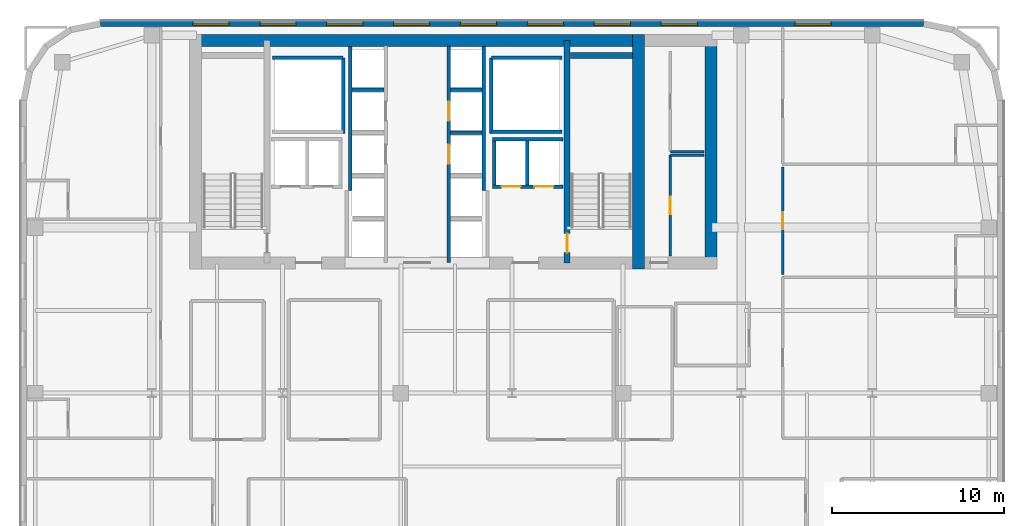
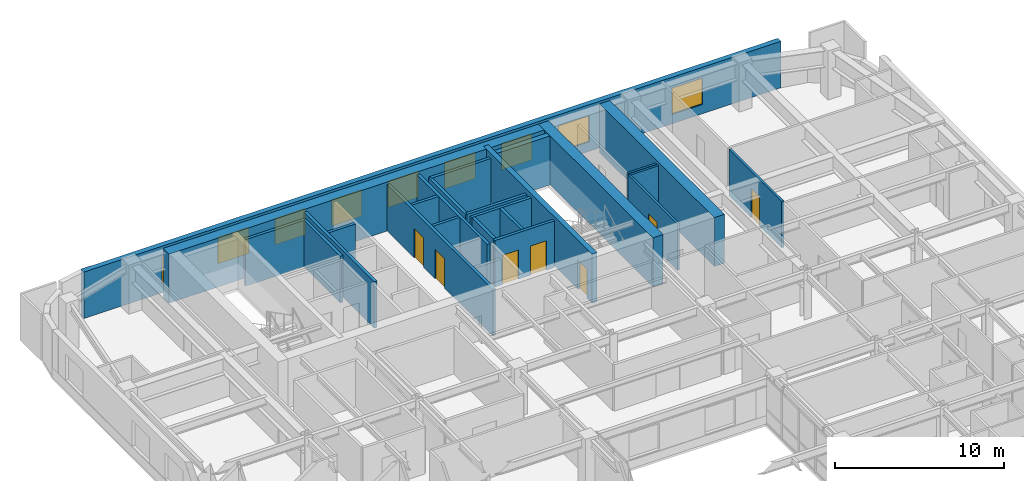
# One storey, part 18 of 24: 25 walls, 9 windows, 7 doors, 16 openings.
"""IFC4 building model written with IfcOpenShell, lengths in metres."""

from ifc_helpers import new_model, si_unit, direction, frame, frame_2d, origin, place, context, subcontext, project, spatial, rectangle, extrude, source, transform, mapped, material, layer, layer_set, type_object, type_shapes, element, fill, save


model = new_model("IFC4")

# Units and contexts
model_context = context("Model", 3, precision=1e-05, world=origin(), true_north=direction((0.0, 1.0)))
body_context = subcontext(model_context, "Body", "Model", "MODEL_VIEW")
ifc_project = project(units=[si_unit("LENGTHUNIT", "METRE"), si_unit("AREAUNIT", "SQUARE_METRE"), si_unit("VOLUMEUNIT", "CUBIC_METRE"), si_unit("PLANEANGLEUNIT", "RADIAN"), si_unit("MASSUNIT", "GRAM", prefix="KILO")], contexts=[model_context])

# Site, building, storey
site_placement = place(None, origin())
site = spatial("IfcSite", under=ifc_project, at=site_placement, CompositionType="ELEMENT")
building_placement = place(site_placement, origin())
building = spatial("IfcBuilding", under=site, at=building_placement, Name="Tolvann Quenvar Hotel", CompositionType="ELEMENT")
storey_placement = place(building_placement, frame((0.0, 0.0, 118.64990234375)))
storey = spatial("IfcBuildingStorey", under=building, at=storey_placement, Name="L30", CompositionType="ELEMENT", Elevation=118.64990234375)

# Walls
ifc_material_1 = material(Name="Concrete S65 (65 MPa)", Category="concrete")
ifc_layer_1 = layer(ifc_material_1, 0.699951171875)
ifc_layer_set_1 = layer_set([ifc_layer_1], Name="Concrete S65 (65 MPa)")
wall_type_1 = type_object("IfcWallType", Name="WALL_CORE_700", PredefinedType="SHEAR", material=ifc_layer_set_1)
wall_1_placement = place(storey_placement, frame((9.800048828125, 44.85009765625, 0.0), z_axis=(0.0, 0.0, 1.0), x_axis=(1.0, 0.0, 0.0)))
element("IfcWall", 1, at=wall_1_placement, inside=storey, type_object=wall_type_1, Name="Rear Core N Shear Wall (L30)", PredefinedType="SHEAR", context=body_context, shape_type="SweptSolid", body=[
    extrude(rectangle(XDim=26.39990234375, YDim=0.699951171875, at=frame_2d((13.199951171875, 0.0))), origin(), (0.0, 0.0, 1.0), 3.550048828125),
])
for number, where, z_axis, x_axis, name in (
    (2, (35.85009765625, 31.60009765625, 0.0), (0.0, 0.0, 1.0), (0.0, 1.0, 0.0), "Rear Core E Shear Wall (L30)"),
    (3, (40.050048828125, 31.60009765625, 0.0), (0.0, 0.0, 1.0), (0.0, 1.0, 0.0), "Core East Annex Shear Wall ANN-E (L30)"),
):
    element("IfcWall", number, at=place(storey_placement, frame(where, z_axis=z_axis, x_axis=x_axis)), inside=storey, type_object=wall_type_1, Name=name, PredefinedType="SHEAR", context=body_context, shape_type="SweptSolid", body=[
        extrude(rectangle(XDim=13.599853515625, YDim=0.699951171875, at=frame_2d((6.7998046875, 0.0))), origin(), (0.0, 0.0, 1.0), 3.550048828125),
    ])

# Wall, opening, door
ifc_layer_2 = layer(ifc_material_1, 0.35009765625)
ifc_layer_set_2 = layer_set([ifc_layer_2], Name="Concrete S65 (65 MPa)")
wall_type_2 = type_object("IfcWallType", Name="WALL_CORE_INT_350", PredefinedType="SHEAR", material=ifc_layer_set_2)
wall_2_placement = place(storey_placement, frame((31.699951171875, 31.949951171875, 0.0), z_axis=(0.0, 0.0, 1.0), x_axis=(0.0, 1.0, 0.0)))
wall_2 = element("IfcWall", 4, at=wall_2_placement, inside=storey, type_object=wall_type_2, Name="Core Internal Web Shear Wall WEB-E (L30)", PredefinedType="SHEAR", context=body_context, shape_type="SweptSolid", body=[
    extrude(rectangle(XDim=12.900146484375, YDim=0.35009765625, at=frame_2d((6.4501953125, 0.0))), origin(), (0.0, 0.0, 1.0), 3.550048828125),
])
opening_1_placement = place(wall_2_placement, frame((1.7001953125, 0.0, 0.0), z_axis=(0.0, 0.0, 1.0), x_axis=(-1.0, 0.0, 0.0)))
opening_1 = element("IfcOpeningElement", 5, at=opening_1_placement, cuts=wall_2, Name="Opening FD-120", PredefinedType="OPENING", context=body_context, shape_type="SweptSolid", body=[
    extrude(rectangle(XDim=1.10009765625, YDim=2.1201171875, at=frame_2d((0.550048828125, 1.06005859375))), frame((0.0, 0.18505859375, 0.0), z_axis=(0.0, -1.0, 0.0), x_axis=(1.0, 0.0, 0.0)), (0.0, 0.0, 1.0), 0.3701171875),
])
ifc_material_2 = material(Name="Pressed galvanised steel fire-rated door set", Category="steel")
door_type_1 = type_object("IfcDoorType", Name="DOOR_FIRE_STAIR_1100", OperationType="NOTDEFINED", PredefinedType="DOOR", material=ifc_material_2)
shared_shape_1 = source(origin(), body_context, "Body", "SweptSolid", [
    extrude(rectangle(XDim=1.10009765625, YDim=2.1201171875, at=frame_2d((0.550048828125, 1.06005859375))), frame((0.0, 0.02490234375, 0.0), z_axis=(0.0, -1.0, 0.0), x_axis=(1.0, 0.0, 0.0)), (0.0, 0.0, 1.0), 0.050048828125),
])
type_shapes(door_type_1, [shared_shape_1])
door_1_placement = place(opening_1_placement, origin())
door_1 = element("IfcDoor", 6, at=door_1_placement, inside=storey, type_object=door_type_1, Name="Exit Stair ST-C2 Fire Door (L30)", OperationType="SINGLE_SWING_LEFT", OverallHeight=2.1201171875, OverallWidth=1.10009765625, PredefinedType="DOOR", context=body_context, shape_type="MappedRepresentation", body=[
    mapped(shared_shape_1, transform((0.0, 0.0, 0.0), x_axis=(1.0, 0.0, 0.0), y_axis=(0.0, 1.0, 0.0), z_axis=(0.0, 0.0, 1.0), scale=1.0)),
])
fill(opening_1, door_1)

# Wall
wall_3_placement = place(storey_placement, frame((31.8798828125, 43.97509765625, 0.0), z_axis=(0.0, 0.0, 1.0), x_axis=(1.0, 0.0, 0.0)))
element("IfcWall", 7, at=wall_3_placement, inside=storey, type_object=wall_type_2, Name="Core Stair North Closing Shear Wall STC2-N (L30)", PredefinedType="SHEAR", context=body_context, shape_type="SweptSolid", body=[
    extrude(rectangle(XDim=3.60009765625, YDim=0.35009765625, at=frame_2d((1.800048828125, 0.0))), origin(), (0.0, 0.0, 1.0), 3.550048828125),
])

# Wall, openings, windows
ifc_material_3 = material(Name="Kiln-fired red and buff architectural clay brickwork and terracotta masonry", Category="masonry")
ifc_layer_3 = layer(ifc_material_3, 0.35009765625)
ifc_layer_set_3 = layer_set([ifc_layer_3], Name="Kiln-fired red and buff architectural clay brickwork and terracotta masonry")
wall_type_3 = type_object("IfcWallType", Name="WALL_EXT_BRICK_350", PredefinedType="SOLIDWALL", material=ifc_layer_set_3)
wall_4_placement = place(storey_placement, frame((52.3828125, 45.824951171875, 0.0), z_axis=(0.0, 0.0, 1.0), x_axis=(-1.0, 0.0, 0.0)))
wall_4 = element("IfcWall", 8, at=wall_4_placement, inside=storey, type_object=wall_type_3, Name="Exterior Chicago Brick Wall L30-E18", PredefinedType="SOLIDWALL", context=body_context, shape_type="SweptSolid", body=[
    extrude(rectangle(XDim=47.765625, YDim=0.35009765625, at=frame_2d((23.8828125, 0.0))), origin(), (0.0, 0.0, 1.0), 3.3701171875),
])
opening_2_placement = place(wall_4_placement, frame((5.37109375, 0.0, 0.679931640625)))
opening_2 = element("IfcOpeningElement", 9, at=opening_2_placement, cuts=wall_4, Name="Opening W-02", PredefinedType="OPENING", context=body_context, shape_type="SweptSolid", body=[
    extrude(rectangle(XDim=2.10009765625, YDim=1.89990234375, at=frame_2d((1.050048828125, 0.949951171875))), frame((0.0, 0.18505859375, 0.0), z_axis=(0.0, -1.0, 0.0), x_axis=(1.0, 0.0, 0.0)), (0.0, 0.0, 1.0), 0.3701171875),
])
opening_3_placement = place(wall_4_placement, frame((13.132080078125, 0.0, 0.679931640625)))
opening_3 = element("IfcOpeningElement", 10, at=opening_3_placement, cuts=wall_4, Name="Opening W-02", PredefinedType="OPENING", context=body_context, shape_type="SweptSolid", body=[
    extrude(rectangle(XDim=2.10009765625, YDim=1.89990234375, at=frame_2d((1.050048828125, 0.949951171875))), frame((0.0, 0.18505859375, 0.0), z_axis=(0.0, -1.0, 0.0), x_axis=(1.0, 0.0, 0.0)), (0.0, 0.0, 1.0), 0.3701171875),
])
opening_4_placement = place(wall_4_placement, frame((17.011962890625, 0.0, 0.679931640625)))
opening_4 = element("IfcOpeningElement", 11, at=opening_4_placement, cuts=wall_4, Name="Opening W-02", PredefinedType="OPENING", context=body_context, shape_type="SweptSolid", body=[
    extrude(rectangle(XDim=2.10009765625, YDim=1.89990234375, at=frame_2d((1.050048828125, 0.949951171875))), frame((0.0, 0.18505859375, 0.0), z_axis=(0.0, -1.0, 0.0), x_axis=(1.0, 0.0, 0.0)), (0.0, 0.0, 1.0), 0.3701171875),
])
opening_5_placement = place(wall_4_placement, frame((20.89306640625, 0.0, 0.679931640625)))
opening_5 = element("IfcOpeningElement", 12, at=opening_5_placement, cuts=wall_4, Name="Opening W-02", PredefinedType="OPENING", context=body_context, shape_type="SweptSolid", body=[
    extrude(rectangle(XDim=2.10009765625, YDim=1.89990234375, at=frame_2d((1.050048828125, 0.949951171875))), frame((0.0, 0.18505859375, 0.0), z_axis=(0.0, -1.0, 0.0), x_axis=(1.0, 0.0, 0.0)), (0.0, 0.0, 1.0), 0.3701171875),
])
opening_6_placement = place(wall_4_placement, frame((24.77294921875, 0.0, 0.679931640625)))
opening_6 = element("IfcOpeningElement", 13, at=opening_6_placement, cuts=wall_4, Name="Opening W-02", PredefinedType="OPENING", context=body_context, shape_type="SweptSolid", body=[
    extrude(rectangle(XDim=2.10009765625, YDim=1.89990234375, at=frame_2d((1.050048828125, 0.949951171875))), frame((0.0, 0.18505859375, 0.0), z_axis=(0.0, -1.0, 0.0), x_axis=(1.0, 0.0, 0.0)), (0.0, 0.0, 1.0), 0.3701171875),
])
opening_7_placement = place(wall_4_placement, frame((28.654052734375, 0.0, 0.679931640625)))
opening_7 = element("IfcOpeningElement", 14, at=opening_7_placement, cuts=wall_4, Name="Opening W-02", PredefinedType="OPENING", context=body_context, shape_type="SweptSolid", body=[
    extrude(rectangle(XDim=2.10009765625, YDim=1.89990234375, at=frame_2d((1.050048828125, 0.949951171875))), frame((0.0, 0.18505859375, 0.0), z_axis=(0.0, -1.0, 0.0), x_axis=(1.0, 0.0, 0.0)), (0.0, 0.0, 1.0), 0.3701171875),
])
opening_8_placement = place(wall_4_placement, frame((32.533935546875, 0.0, 0.679931640625)))
opening_8 = element("IfcOpeningElement", 15, at=opening_8_placement, cuts=wall_4, Name="Opening W-02", PredefinedType="OPENING", context=body_context, shape_type="SweptSolid", body=[
    extrude(rectangle(XDim=2.10009765625, YDim=1.89990234375, at=frame_2d((1.050048828125, 0.949951171875))), frame((0.0, 0.18505859375, 0.0), z_axis=(0.0, -1.0, 0.0), x_axis=(1.0, 0.0, 0.0)), (0.0, 0.0, 1.0), 0.3701171875),
])
opening_9_placement = place(wall_4_placement, frame((36.4140625, 0.0, 0.679931640625)))
opening_9 = element("IfcOpeningElement", 16, at=opening_9_placement, cuts=wall_4, Name="Opening W-02", PredefinedType="OPENING", context=body_context, shape_type="SweptSolid", body=[
    extrude(rectangle(XDim=2.10009765625, YDim=1.89990234375, at=frame_2d((1.050048828125, 0.949951171875))), frame((0.0, 0.18505859375, 0.0), z_axis=(0.0, -1.0, 0.0), x_axis=(1.0, 0.0, 0.0)), (0.0, 0.0, 1.0), 0.3701171875),
])
opening_10_placement = place(wall_4_placement, frame((40.294921875, 0.0, 0.679931640625)))
opening_10 = element("IfcOpeningElement", 17, at=opening_10_placement, cuts=wall_4, Name="Opening W-02", PredefinedType="OPENING", context=body_context, shape_type="SweptSolid", body=[
    extrude(rectangle(XDim=2.10009765625, YDim=1.89990234375, at=frame_2d((1.050048828125, 0.949951171875))), frame((0.0, 0.18505859375, 0.0), z_axis=(0.0, -1.0, 0.0), x_axis=(1.0, 0.0, 0.0)), (0.0, 0.0, 1.0), 0.3701171875),
])
ifc_material_4 = material(Name="Thermally broken bronze-anodised aluminium frame with double low-E glazing", Category="aluminium")
window_type = type_object("IfcWindowType", Name="WIN_CHI_2100x2050", PartitioningType="TRIPLE_PANEL_HORIZONTAL", PredefinedType="WINDOW", material=ifc_material_4)
shared_shape_2 = source(origin(), body_context, "Body", "SweptSolid", [
    extrude(rectangle(XDim=2.10009765625, YDim=1.89990234375, at=frame_2d((1.050048828125, 0.949951171875))), frame((0.0, 0.090087890625, 0.0), z_axis=(0.0, -1.0, 0.0), x_axis=(1.0, 0.0, 0.0)), (0.0, 0.0, 1.0), 0.06005859375),
])
type_shapes(window_type, [shared_shape_2])
window_1_placement = place(opening_2_placement, origin())
window_1 = element("IfcWindow", 18, at=window_1_placement, inside=storey, type_object=window_type, Name="Chicago Window W-02 (EW-L30-E18-W01)", OverallHeight=1.89990234375, OverallWidth=2.10009765625, PartitioningType="TRIPLE_PANEL_HORIZONTAL", PredefinedType="WINDOW", context=body_context, shape_type="MappedRepresentation", body=[
    mapped(shared_shape_2, transform((0.0, 0.0, 0.0), x_axis=(1.0, 0.0, 0.0), y_axis=(0.0, 1.0, 0.0), z_axis=(0.0, 0.0, 1.0), scale=1.0)),
])
fill(opening_2, window_1)
window_2_placement = place(opening_3_placement, origin())
window_2 = element("IfcWindow", 19, at=window_2_placement, inside=storey, type_object=window_type, Name="Chicago Window W-02 (EW-L30-E18-W02)", OverallHeight=1.89990234375, OverallWidth=2.10009765625, PartitioningType="TRIPLE_PANEL_HORIZONTAL", PredefinedType="WINDOW", context=body_context, shape_type="MappedRepresentation", body=[
    mapped(shared_shape_2, transform((0.0, 0.0, 0.0), x_axis=(1.0, 0.0, 0.0), y_axis=(0.0, 1.0, 0.0), z_axis=(0.0, 0.0, 1.0), scale=1.0)),
])
fill(opening_3, window_2)
window_3_placement = place(opening_4_placement, origin())
window_3 = element("IfcWindow", 20, at=window_3_placement, inside=storey, type_object=window_type, Name="Chicago Window W-02 (EW-L30-E18-W03)", OverallHeight=1.89990234375, OverallWidth=2.10009765625, PartitioningType="TRIPLE_PANEL_HORIZONTAL", PredefinedType="WINDOW", context=body_context, shape_type="MappedRepresentation", body=[
    mapped(shared_shape_2, transform((0.0, 0.0, 0.0), x_axis=(1.0, 0.0, 0.0), y_axis=(0.0, 1.0, 0.0), z_axis=(0.0, 0.0, 1.0), scale=1.0)),
])
fill(opening_4, window_3)
window_4_placement = place(opening_5_placement, origin())
window_4 = element("IfcWindow", 21, at=window_4_placement, inside=storey, type_object=window_type, Name="Chicago Window W-02 (EW-L30-E18-W04)", OverallHeight=1.89990234375, OverallWidth=2.10009765625, PartitioningType="TRIPLE_PANEL_HORIZONTAL", PredefinedType="WINDOW", context=body_context, shape_type="MappedRepresentation", body=[
    mapped(shared_shape_2, transform((0.0, 0.0, 0.0), x_axis=(1.0, 0.0, 0.0), y_axis=(0.0, 1.0, 0.0), z_axis=(0.0, 0.0, 1.0), scale=1.0)),
])
fill(opening_5, window_4)
window_5_placement = place(opening_6_placement, origin())
window_5 = element("IfcWindow", 22, at=window_5_placement, inside=storey, type_object=window_type, Name="Chicago Window W-02 (EW-L30-E18-W05)", OverallHeight=1.89990234375, OverallWidth=2.10009765625, PartitioningType="TRIPLE_PANEL_HORIZONTAL", PredefinedType="WINDOW", context=body_context, shape_type="MappedRepresentation", body=[
    mapped(shared_shape_2, transform((0.0, 0.0, 0.0), x_axis=(1.0, 0.0, 0.0), y_axis=(0.0, 1.0, 0.0), z_axis=(0.0, 0.0, 1.0), scale=1.0)),
])
fill(opening_6, window_5)
window_6_placement = place(opening_7_placement, origin())
window_6 = element("IfcWindow", 23, at=window_6_placement, inside=storey, type_object=window_type, Name="Chicago Window W-02 (EW-L30-E18-W06)", OverallHeight=1.89990234375, OverallWidth=2.10009765625, PartitioningType="TRIPLE_PANEL_HORIZONTAL", PredefinedType="WINDOW", context=body_context, shape_type="MappedRepresentation", body=[
    mapped(shared_shape_2, transform((0.0, 0.0, 0.0), x_axis=(1.0, 0.0, 0.0), y_axis=(0.0, 1.0, 0.0), z_axis=(0.0, 0.0, 1.0), scale=1.0)),
])
fill(opening_7, window_6)
window_7_placement = place(opening_8_placement, origin())
window_7 = element("IfcWindow", 24, at=window_7_placement, inside=storey, type_object=window_type, Name="Chicago Window W-02 (EW-L30-E18-W07)", OverallHeight=1.89990234375, OverallWidth=2.10009765625, PartitioningType="TRIPLE_PANEL_HORIZONTAL", PredefinedType="WINDOW", context=body_context, shape_type="MappedRepresentation", body=[
    mapped(shared_shape_2, transform((0.0, 0.0, 0.0), x_axis=(1.0, 0.0, 0.0), y_axis=(0.0, 1.0, 0.0), z_axis=(0.0, 0.0, 1.0), scale=1.0)),
])
fill(opening_8, window_7)
window_8_placement = place(opening_9_placement, origin())
window_8 = element("IfcWindow", 25, at=window_8_placement, inside=storey, type_object=window_type, Name="Chicago Window W-02 (EW-L30-E18-W08)", OverallHeight=1.89990234375, OverallWidth=2.10009765625, PartitioningType="TRIPLE_PANEL_HORIZONTAL", PredefinedType="WINDOW", context=body_context, shape_type="MappedRepresentation", body=[
    mapped(shared_shape_2, transform((0.0, 0.0, 0.0), x_axis=(1.0, 0.0, 0.0), y_axis=(0.0, 1.0, 0.0), z_axis=(0.0, 0.0, 1.0), scale=1.0)),
])
fill(opening_9, window_8)
window_9_placement = place(opening_10_placement, origin())
window_9 = element("IfcWindow", 26, at=window_9_placement, inside=storey, type_object=window_type, Name="Chicago Window W-02 (EW-L30-E18-W09)", OverallHeight=1.89990234375, OverallWidth=2.10009765625, PartitioningType="TRIPLE_PANEL_HORIZONTAL", PredefinedType="WINDOW", context=body_context, shape_type="MappedRepresentation", body=[
    mapped(shared_shape_2, transform((0.0, 0.0, 0.0), x_axis=(1.0, 0.0, 0.0), y_axis=(0.0, 1.0, 0.0), z_axis=(0.0, 0.0, 1.0), scale=1.0)),
])
fill(opening_10, window_9)

# Wall
ifc_material_5 = material(Name="Acoustic twin-stud fire-rated gypsum plasterboard partition")
ifc_layer_4 = layer(ifc_material_5, 0.14990234375)
ifc_layer_set_4 = layer_set([ifc_layer_4], Name="Acoustic twin-stud fire-rated gypsum plasterboard partition")
wall_type_4 = type_object("IfcWallType", Name="WALL_PART_SUITE_150", PredefinedType="PARTITIONING", material=ifc_layer_set_4)
wall_5_placement = place(storey_placement, frame((37.679931640625, 38.199951171875, 0.0), z_axis=(0.0, 0.0, 1.0), x_axis=(1.0, 0.0, 0.0)))
element("IfcWall", 27, at=wall_5_placement, inside=storey, type_object=wall_type_4, Name="Interior Partition PT-SPC-L30-RECPL-1-N", PredefinedType="PARTITIONING", context=body_context, shape_type="SweptSolid", body=[
    extrude(rectangle(XDim=1.965087890625, YDim=0.14990234375, at=frame_2d((0.982421875, 0.0))), origin(), (0.0, 0.0, 1.0), 3.3701171875),
])

# Wall, opening, door
wall_6_placement = place(storey_placement, frame((37.679931640625, 32.35498046875, 0.0), z_axis=(0.0, 0.0, 1.0), x_axis=(0.0, 1.0, 0.0)))
wall_6 = element("IfcWall", 28, at=wall_6_placement, inside=storey, type_object=wall_type_4, Name="Interior Partition PT-SPC-L30-RECPL-1-W", PredefinedType="PARTITIONING", context=body_context, shape_type="SweptSolid", body=[
    extrude(rectangle(XDim=5.844970703125, YDim=0.14990234375, at=frame_2d((2.92236328125, 0.0))), origin(), (0.0, 0.0, 1.0), 3.3701171875),
])
opening_11_placement = place(wall_6_placement, frame((2.41259765625, 0.0, 0.0)))
opening_11 = element("IfcOpeningElement", 29, at=opening_11_placement, cuts=wall_6, Name="Opening HD-01", PredefinedType="OPENING", context=body_context, shape_type="SweptSolid", body=[
    extrude(rectangle(XDim=1.02001953125, YDim=2.030029296875, at=frame_2d((0.510009765625, 1.01513671875))), frame((0.0, 0.0849609375, 0.0), z_axis=(0.0, -1.0, 0.0), x_axis=(1.0, 0.0, 0.0)), (0.0, 0.0, 1.0), 0.169921875),
])
door_type_2 = type_object("IfcDoorType", Name="DOOR_BOH_1020", OperationType="NOTDEFINED", PredefinedType="DOOR", material=ifc_material_2)
shared_shape_3 = source(origin(), body_context, "Body", "SweptSolid", [
    extrude(rectangle(XDim=1.02001953125, YDim=2.030029296875, at=frame_2d((0.510009765625, 1.01513671875))), frame((0.0, 0.02490234375, 0.0), z_axis=(0.0, -1.0, 0.0), x_axis=(1.0, 0.0, 0.0)), (0.0, 0.0, 1.0), 0.050048828125),
])
type_shapes(door_type_2, [shared_shape_3])
door_2_placement = place(opening_11_placement, origin())
door_2 = element("IfcDoor", 30, at=door_2_placement, inside=storey, type_object=door_type_2, Name="Interior Door DOOR-SPC-L30-RECPL-1", OperationType="SINGLE_SWING_RIGHT", OverallHeight=2.030029296875, OverallWidth=1.02001953125, PredefinedType="DOOR", context=body_context, shape_type="MappedRepresentation", body=[
    mapped(shared_shape_3, transform((0.0, 0.0, 0.0), x_axis=(1.0, 0.0, 0.0), y_axis=(0.0, 1.0, 0.0), z_axis=(0.0, 0.0, 1.0), scale=1.0)),
])
fill(opening_11, door_2)

# Wall
wall_7_placement = place(storey_placement, frame((37.679931640625, 38.39990234375, 0.0), z_axis=(0.0, 0.0, 1.0), x_axis=(1.0, 0.0, 0.0)))
element("IfcWall", 31, at=wall_7_placement, inside=storey, type_object=wall_type_4, Name="Interior Partition PT-SPC-L30-CSE-1-S", PredefinedType="PARTITIONING", context=body_context, shape_type="SweptSolid", body=[
    extrude(rectangle(XDim=1.965087890625, YDim=0.14990234375, at=frame_2d((0.982421875, 0.0))), origin(), (0.0, 0.0, 1.0), 3.3701171875),
])

# Wall, opening, door
wall_8_placement = place(storey_placement, frame((44.199951171875, 31.280029296875, 0.0), z_axis=(0.0, 0.0, 1.0), x_axis=(0.0, 1.0, 0.0)))
wall_8 = element("IfcWall", 32, at=wall_8_placement, inside=storey, type_object=wall_type_4, Name="Interior Partition PT-SPC-L30-RM-NE02-ENT", PredefinedType="PARTITIONING", context=body_context, shape_type="SweptSolid", body=[
    extrude(rectangle(XDim=6.239990234375, YDim=0.14990234375, at=frame_2d((3.1201171875, 0.0))), origin(), (0.0, 0.0, 1.0), 3.3701171875),
])
opening_12_placement = place(wall_8_placement, frame((2.6298828125, 0.0, 0.0)))
opening_12 = element("IfcOpeningElement", 33, at=opening_12_placement, cuts=wall_8, Name="Opening SD-01", PredefinedType="OPENING", context=body_context, shape_type="SweptSolid", body=[
    extrude(rectangle(XDim=0.97998046875, YDim=2.1201171875, at=frame_2d((0.489990234375, 1.06005859375))), frame((0.0, 0.0849609375, 0.0), z_axis=(0.0, -1.0, 0.0), x_axis=(1.0, 0.0, 0.0)), (0.0, 0.0, 1.0), 0.169921875),
])
ifc_material_6 = material(Name="Solid-core American oak acoustic fire door leaf in steel frame", Category="steel")
door_type_3 = type_object("IfcDoorType", Name="DOOR_SUITE_980", OperationType="NOTDEFINED", PredefinedType="DOOR", material=ifc_material_6)
shared_shape_4 = source(origin(), body_context, "Body", "SweptSolid", [
    extrude(rectangle(XDim=0.97998046875, YDim=2.1201171875, at=frame_2d((0.489990234375, 1.06005859375))), frame((0.0, 0.02490234375, 0.0), z_axis=(0.0, -1.0, 0.0), x_axis=(1.0, 0.0, 0.0)), (0.0, 0.0, 1.0), 0.050048828125),
])
type_shapes(door_type_3, [shared_shape_4])
door_3_placement = place(opening_12_placement, origin())
door_3 = element("IfcDoor", 34, at=door_3_placement, inside=storey, type_object=door_type_3, Name="Interior Door DOOR-SPC-L30-RM-NE02", OperationType="SINGLE_SWING_RIGHT", OverallHeight=2.1201171875, OverallWidth=0.97998046875, PredefinedType="DOOR", context=body_context, shape_type="MappedRepresentation", body=[
    mapped(shared_shape_4, transform((0.0, 0.0, 0.0), x_axis=(1.0, 0.0, 0.0), y_axis=(0.0, 1.0, 0.0), z_axis=(0.0, 0.0, 1.0), scale=1.0)),
])
fill(opening_12, door_3)

# Walls
ifc_material_7 = material(Name="Concrete N40 (40 MPa)", Category="concrete")
ifc_layer_5 = layer(ifc_material_7, 0.199951171875)
ifc_layer_set_5 = layer_set([ifc_layer_5], Name="Concrete N40 (40 MPa)")
wall_type_5 = type_object("IfcWallType", Name="WALL_SHAFT_200", PredefinedType="SOLIDWALL", material=ifc_layer_set_5)
wall_9_placement = place(storey_placement, frame((18.699951171875, 39.449951171875, 0.0), z_axis=(0.0, 0.0, 1.0), x_axis=(0.0, 1.0, 0.0)))
element("IfcWall", 35, at=wall_9_placement, inside=storey, type_object=wall_type_5, Name="Service Riser W Shaft Wall IN (L30)", PredefinedType="SOLIDWALL", context=body_context, shape_type="SweptSolid", body=[
    extrude(rectangle(XDim=4.400146484375, YDim=0.199951171875, at=frame_2d((2.2001953125, 0.0))), origin(), (0.0, 0.0, 1.0), 3.3701171875),
])
wall_10_placement = place(storey_placement, frame((14.60009765625, 43.85009765625, 0.0), z_axis=(0.0, 0.0, 1.0), x_axis=(1.0, 0.0, 0.0)))
element("IfcWall", 36, at=wall_10_placement, inside=storey, type_object=wall_type_5, Name="Service Riser W Shaft Wall N (L30)", PredefinedType="SOLIDWALL", context=body_context, shape_type="SweptSolid", body=[
    extrude(rectangle(XDim=4.099853515625, YDim=0.199951171875, at=frame_2d((2.0498046875, 0.0))), origin(), (0.0, 0.0, 1.0), 3.3701171875),
])
wall_11_placement = place(storey_placement, frame((27.300048828125, 39.449951171875, 0.0), z_axis=(0.0, 0.0, 1.0), x_axis=(0.0, 1.0, 0.0)))
element("IfcWall", 37, at=wall_11_placement, inside=storey, type_object=wall_type_5, Name="Service Riser E Shaft Wall IN (L30)", PredefinedType="SOLIDWALL", context=body_context, shape_type="SweptSolid", body=[
    extrude(rectangle(XDim=4.400146484375, YDim=0.199951171875, at=frame_2d((2.2001953125, 0.0))), origin(), (0.0, 0.0, 1.0), 3.3701171875),
])
for number, where, z_axis, x_axis, name in (
    (38, (27.300048828125, 39.550048828125, 0.0), (0.0, 0.0, 1.0), (1.0, 0.0, 0.0), "Service Riser E Shaft Wall S (L30)"),
    (39, (27.300048828125, 43.85009765625, 0.0), (0.0, 0.0, 1.0), (1.0, 0.0, 0.0), "Service Riser E Shaft Wall N (L30)"),
):
    element("IfcWall", number, at=place(storey_placement, frame(where, z_axis=z_axis, x_axis=x_axis)), inside=storey, type_object=wall_type_5, Name=name, PredefinedType="SOLIDWALL", context=body_context, shape_type="SweptSolid", body=[
        extrude(rectangle(XDim=4.099853515625, YDim=0.199951171875, at=frame_2d((2.0498046875, 0.0))), origin(), (0.0, 0.0, 1.0), 3.3701171875),
    ])
wall_12_placement = place(storey_placement, frame((19.1298828125, 36.159912109375, 0.0), z_axis=(0.0, 0.0, 1.0), x_axis=(0.0, 1.0, 0.0)))
element("IfcWall", 40, at=wall_12_placement, inside=storey, type_object=wall_type_5, Name="Lift Bank E21.1C1 Hoistway Rear Wall (L30)", PredefinedType="SOLIDWALL", context=body_context, shape_type="SweptSolid", body=[
    extrude(rectangle(XDim=8.336181640625, YDim=0.199951171875, at=frame_2d((4.16796875, 0.0))), origin(), (0.0, 0.0, 1.0), 3.3701171875),
])
wall_13_placement = place(storey_placement, frame((19.22998046875, 42.0, 0.0), z_axis=(0.0, 0.0, 1.0), x_axis=(1.0, 0.0, 0.0)))
element("IfcWall", 41, at=wall_13_placement, inside=storey, type_object=wall_type_5, Name="Lift Bank E21.1C1 Divider Wall 4 (L30)", PredefinedType="SOLIDWALL", context=body_context, shape_type="SweptSolid", body=[
    extrude(rectangle(XDim=1.840087890625, YDim=0.199951171875, at=frame_2d((0.919921875, 0.0))), origin(), (0.0, 0.0, 1.0), 3.3701171875),
])

# Wall, openings, doors
wall_14_placement = place(storey_placement, frame((27.375, 36.3798828125, 0.0), z_axis=(0.0, 0.0, 1.0), x_axis=(1.0, 0.0, 0.0)))
wall_14 = element("IfcWall", 42, at=wall_14_placement, inside=storey, type_object=wall_type_5, Name="Lift Bank SEC1 Hoistway Front Wall (L30)", PredefinedType="SOLIDWALL", context=body_context, shape_type="SweptSolid", body=[
    extrude(rectangle(XDim=4.074951171875, YDim=0.199951171875, at=frame_2d((2.03759765625, 0.0))), origin(), (0.0, 0.0, 1.0), 3.3701171875),
])
opening_13_placement = place(wall_14_placement, frame((0.52490234375, 0.0, 0.0)))
opening_13 = element("IfcOpeningElement", 43, at=opening_13_placement, cuts=wall_14, Name="Opening LD-01", PredefinedType="OPENING", context=body_context, shape_type="SweptSolid", body=[
    extrude(rectangle(XDim=1.10009765625, YDim=2.1201171875, at=frame_2d((0.550048828125, 1.06005859375))), frame((0.0, 0.10986328125, 0.0), z_axis=(0.0, -1.0, 0.0), x_axis=(1.0, 0.0, 0.0)), (0.0, 0.0, 1.0), 0.219970703125),
])
opening_14_placement = place(wall_14_placement, frame((2.425048828125, 0.0, 0.0)))
opening_14 = element("IfcOpeningElement", 44, at=opening_14_placement, cuts=wall_14, Name="Opening LD-01", PredefinedType="OPENING", context=body_context, shape_type="SweptSolid", body=[
    extrude(rectangle(XDim=1.10009765625, YDim=2.1201171875, at=frame_2d((0.550048828125, 1.06005859375))), frame((0.0, 0.10986328125, 0.0), z_axis=(0.0, -1.0, 0.0), x_axis=(1.0, 0.0, 0.0)), (0.0, 0.0, 1.0), 0.219970703125),
])
ifc_material_8 = material(Name="Brushed 316 stainless steel automatic sliding lift landing door", Category="steel")
door_type_4 = type_object("IfcDoorType", Name="DOOR_LIFT_SLIDE_1100", OperationType="NOTDEFINED", PredefinedType="DOOR", material=ifc_material_8)
shared_shape_5 = source(origin(), body_context, "Body", "SweptSolid", [
    extrude(rectangle(XDim=1.10009765625, YDim=2.1201171875, at=frame_2d((0.550048828125, 1.06005859375))), frame((0.0, 0.02490234375, 0.0), z_axis=(0.0, -1.0, 0.0), x_axis=(1.0, 0.0, 0.0)), (0.0, 0.0, 1.0), 0.050048828125),
])
type_shapes(door_type_4, [shared_shape_5])
door_4_placement = place(opening_13_placement, origin())
door_4 = element("IfcDoor", 45, at=door_4_placement, inside=storey, type_object=door_type_4, Name="Lift SV-2 Sliding Landing Door (L30)", OperationType="SLIDING_TO_LEFT", OverallHeight=2.1201171875, OverallWidth=1.10009765625, PredefinedType="DOOR", context=body_context, shape_type="MappedRepresentation", body=[
    mapped(shared_shape_5, transform((0.0, 0.0, 0.0), x_axis=(1.0, 0.0, 0.0), y_axis=(0.0, 1.0, 0.0), z_axis=(0.0, 0.0, 1.0), scale=1.0)),
])
fill(opening_13, door_4)
door_5_placement = place(opening_14_placement, origin())
door_5 = element("IfcDoor", 46, at=door_5_placement, inside=storey, type_object=door_type_4, Name="Lift FF-2 Sliding Landing Door (L30)", OperationType="SLIDING_TO_RIGHT", OverallHeight=2.1201171875, OverallWidth=1.10009765625, PredefinedType="DOOR", context=body_context, shape_type="MappedRepresentation", body=[
    mapped(shared_shape_5, transform((0.0, 0.0, 0.0), x_axis=(1.0, 0.0, 0.0), y_axis=(0.0, 1.0, 0.0), z_axis=(0.0, 0.0, 1.0), scale=1.0)),
])
fill(opening_14, door_5)

# Walls
wall_15_placement = place(storey_placement, frame((27.375, 39.1201171875, 0.0), z_axis=(0.0, 0.0, 1.0), x_axis=(1.0, 0.0, 0.0)))
element("IfcWall", 47, at=wall_15_placement, inside=storey, type_object=wall_type_5, Name="Lift Bank SEC1 Hoistway Rear Wall (L30)", PredefinedType="SOLIDWALL", context=body_context, shape_type="SweptSolid", body=[
    extrude(rectangle(XDim=4.074951171875, YDim=0.199951171875, at=frame_2d((2.03759765625, 0.0))), origin(), (0.0, 0.0, 1.0), 3.3701171875),
])
for number, where, z_axis, x_axis, name in (
    (48, (27.47509765625, 36.47998046875, 0.0), (0.0, 0.0, 1.0), (0.0, 1.0, 0.0), "Lift Bank SEC1 Hoistway Cheek Wall 1 (L30)"),
    (49, (29.387451171875, 36.47998046875, 0.0), (0.0, 0.0, 1.0), (0.0, 1.0, 0.0), "Lift Bank SEC1 Divider Wall 1 (L30)"),
):
    element("IfcWall", number, at=place(storey_placement, frame(where, z_axis=z_axis, x_axis=x_axis)), inside=storey, type_object=wall_type_5, Name=name, PredefinedType="SOLIDWALL", context=body_context, shape_type="SweptSolid", body=[
        extrude(rectangle(XDim=2.5400390625, YDim=0.199951171875, at=frame_2d((1.27001953125, 0.0))), origin(), (0.0, 0.0, 1.0), 3.3701171875),
    ])

# Wall, openings, doors
wall_16_placement = place(storey_placement, frame((24.830078125, 31.9599609375, 0.0), z_axis=(0.0, 0.0, 1.0), x_axis=(0.0, 1.0, 0.0)))
wall_16 = element("IfcWall", 50, at=wall_16_placement, inside=storey, type_object=wall_type_5, Name="Lift Bank W24.9C1 Hoistway Front Wall (L30)", PredefinedType="SOLIDWALL", context=body_context, shape_type="SweptSolid", body=[
    extrude(rectangle(XDim=12.580078125, YDim=0.199951171875, at=frame_2d((6.2900390625, 0.0))), origin(), (0.0, 0.0, 1.0), 3.3701171875),
])
opening_15_placement = place(wall_16_placement, frame((5.739990234375, 0.0, 0.0)))
opening_15 = element("IfcOpeningElement", 51, at=opening_15_placement, cuts=wall_16, Name="Opening LD-01", PredefinedType="OPENING", context=body_context, shape_type="SweptSolid", body=[
    extrude(rectangle(XDim=1.10009765625, YDim=2.1201171875, at=frame_2d((0.550048828125, 1.06005859375))), frame((0.0, 0.10986328125, 0.0), z_axis=(0.0, -1.0, 0.0), x_axis=(1.0, 0.0, 0.0)), (0.0, 0.0, 1.0), 0.219970703125),
])
opening_16_placement = place(wall_16_placement, frame((8.239990234375, 0.0, 0.0)))
opening_16 = element("IfcOpeningElement", 52, at=opening_16_placement, cuts=wall_16, Name="Opening LD-01", PredefinedType="OPENING", context=body_context, shape_type="SweptSolid", body=[
    extrude(rectangle(XDim=1.10009765625, YDim=2.1201171875, at=frame_2d((0.550048828125, 1.06005859375))), frame((0.0, 0.10986328125, 0.0), z_axis=(0.0, -1.0, 0.0), x_axis=(1.0, 0.0, 0.0)), (0.0, 0.0, 1.0), 0.219970703125),
])
door_6_placement = place(opening_15_placement, origin())
door_6 = element("IfcDoor", 53, at=door_6_placement, inside=storey, type_object=door_type_4, Name="Lift PM-3 Sliding Landing Door (L30)", OperationType="SLIDING_TO_RIGHT", OverallHeight=2.1201171875, OverallWidth=1.10009765625, PredefinedType="DOOR", context=body_context, shape_type="MappedRepresentation", body=[
    mapped(shared_shape_5, transform((0.0, 0.0, 0.0), x_axis=(1.0, 0.0, 0.0), y_axis=(0.0, 1.0, 0.0), z_axis=(0.0, 0.0, 1.0), scale=1.0)),
])
fill(opening_15, door_6)
door_7_placement = place(opening_16_placement, origin())
door_7 = element("IfcDoor", 54, at=door_7_placement, inside=storey, type_object=door_type_4, Name="Lift PM-4 Sliding Landing Door (L30)", OperationType="SLIDING_TO_LEFT", OverallHeight=2.1201171875, OverallWidth=1.10009765625, PredefinedType="DOOR", context=body_context, shape_type="MappedRepresentation", body=[
    mapped(shared_shape_5, transform((0.0, 0.0, 0.0), x_axis=(1.0, 0.0, 0.0), y_axis=(0.0, 1.0, 0.0), z_axis=(0.0, 0.0, 1.0), scale=1.0)),
])
fill(opening_16, door_7)

# Walls
wall_17_placement = place(storey_placement, frame((26.8701171875, 36.159912109375, 0.0), z_axis=(0.0, 0.0, 1.0), x_axis=(0.0, 1.0, 0.0)))
element("IfcWall", 55, at=wall_17_placement, inside=storey, type_object=wall_type_5, Name="Lift Bank W24.9C1 Hoistway Rear Wall (L30)", PredefinedType="SOLIDWALL", context=body_context, shape_type="SweptSolid", body=[
    extrude(rectangle(XDim=8.336181640625, YDim=0.199951171875, at=frame_2d((4.16796875, 0.0))), origin(), (0.0, 0.0, 1.0), 3.3701171875),
])
for number, where, z_axis, x_axis, name in (
    (56, (24.929931640625, 39.5, 0.0), (0.0, 0.0, 1.0), (1.0, 0.0, 0.0), "Lift Bank W24.9C1 Divider Wall 3 (L30)"),
    (57, (24.929931640625, 42.0, 0.0), (0.0, 0.0, 1.0), (1.0, 0.0, 0.0), "Lift Bank W24.9C1 Divider Wall 4 (L30)"),
):
    element("IfcWall", number, at=place(storey_placement, frame(where, z_axis=z_axis, x_axis=x_axis)), inside=storey, type_object=wall_type_5, Name=name, PredefinedType="SOLIDWALL", context=body_context, shape_type="SweptSolid", body=[
        extrude(rectangle(XDim=1.840087890625, YDim=0.199951171875, at=frame_2d((0.919921875, 0.0))), origin(), (0.0, 0.0, 1.0), 3.3701171875),
    ])

save(model, "model.ifc")
